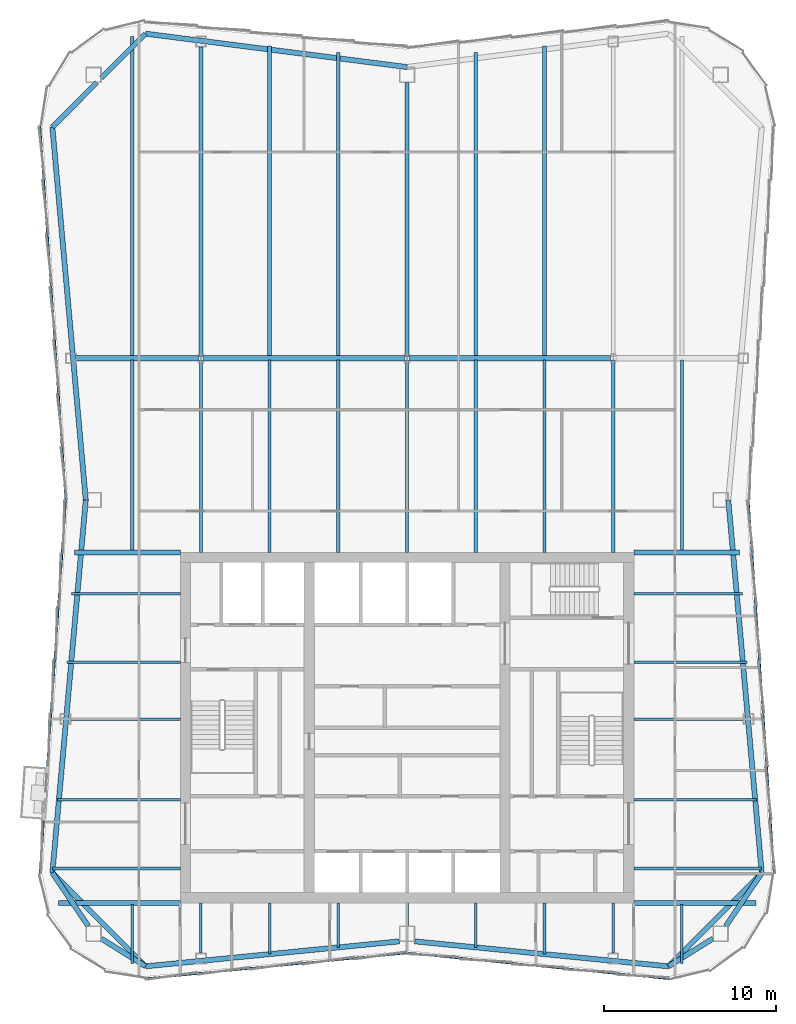
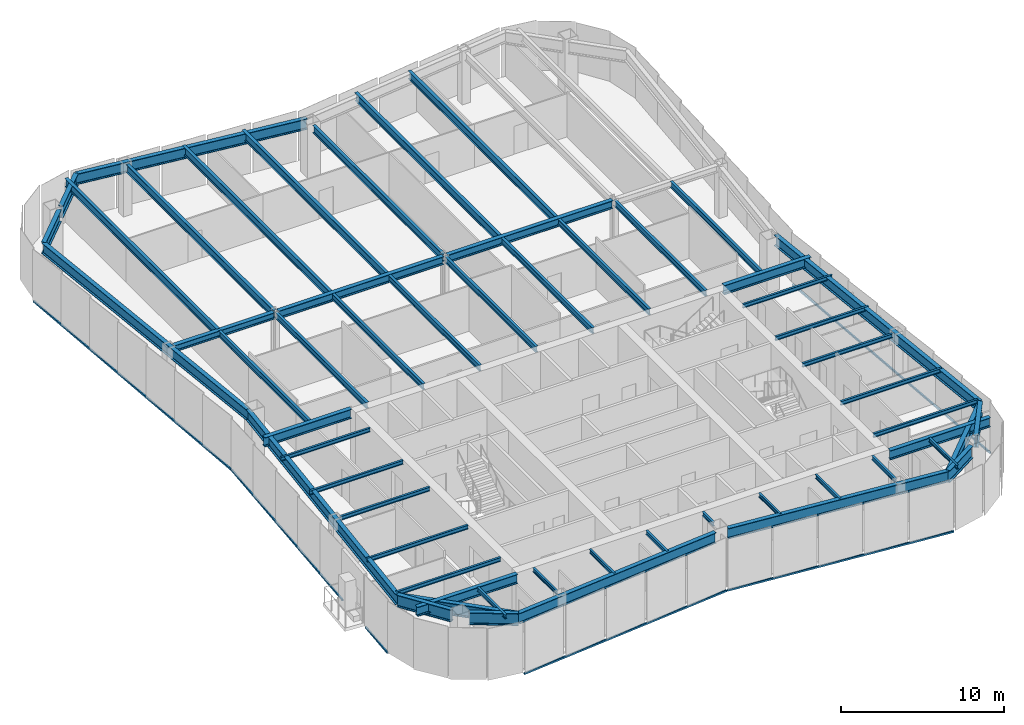
# One storey, part 3 of 10: 56 beams, 6 members, 3 elements without a shape of their own.
"""IFC4 building model written with IfcOpenShell, lengths in metres."""

from ifc_helpers import new_model, si_unit, direction, frame, origin, origin_2d, place, context, subcontext, project, spatial, rectangle, i_section, extrude, material, material_profile, profile_set, type_object, element, aggregate, save


model = new_model("IFC4")

# Units and contexts
model_context = context("Model", 3, precision=1e-05, world=origin(), true_north=direction((0.0, 1.0)))
body_context = subcontext(model_context, "Body", "Model", "MODEL_VIEW")
ifc_project = project(units=[si_unit("LENGTHUNIT", "METRE"), si_unit("AREAUNIT", "SQUARE_METRE"), si_unit("VOLUMEUNIT", "CUBIC_METRE"), si_unit("PLANEANGLEUNIT", "RADIAN"), si_unit("MASSUNIT", "GRAM", prefix="KILO")], contexts=[model_context])

# Site, building, storey
site_placement = place(None, origin())
site = spatial("IfcSite", under=ifc_project, at=site_placement, CompositionType="ELEMENT")
building_placement = place(site_placement, origin())
building = spatial("IfcBuilding", under=site, at=building_placement, Name="Verdant Reach Tower", CompositionType="ELEMENT")
storey_placement = place(building_placement, frame((0.0, 0.0, 326.0)))
storey = spatial("IfcBuildingStorey", under=building, at=storey_placement, Name="L75", CompositionType="ELEMENT", Elevation=326.0)

# Curtain wall, member
ifc_material_1 = material(Name="Anodised aluminium", Category="aluminium")
curtain_wall_type = type_object("IfcCurtainWallType", Name="EN-CW SYSTEM Z5", PredefinedType="NOTDEFINED", material=ifc_material_1)
curtain_wall_1_placement = place(storey_placement, origin())
curtain_wall_1 = element("IfcCurtainWall", 1, at=curtain_wall_1_placement, inside=storey, type_object=curtain_wall_type, Name="Curtain wall east, L75", PredefinedType="NOTDEFINED")
ifc_material_profile_1 = material_profile(ifc_material_1, rectangle(XDim=0.10009765625, YDim=0.1298828125, at=origin_2d()), Name="Transom 130x100")
ifc_profile_set_1 = profile_set([ifc_material_profile_1], Name="Anodised aluminium")
member_type = type_object("IfcMemberType", Name="EN-TRANSOM Z5", PredefinedType="USERDEFINED", material=ifc_profile_set_1)
member_1_placement = place(storey_placement, frame((21.3623046875, 19.527587890625, -0.284912109375), z_axis=(-0.068764705107, 0.997632906099, 0.0), x_axis=(-0.997632906099, -0.068764705107, 0.0)))
member_1 = element("IfcMember", 2, at=member_1_placement, type_object=member_type, Name="Transom east face part 1 1.1, L75", ObjectType="TRANSOM", PredefinedType="USERDEFINED", context=body_context, shape_type="SweptSolid", body=[
    extrude(rectangle(XDim=0.10009765625, YDim=0.1298828125, at=origin_2d()), origin(), (0.0, 0.0, 1.0), 21.739013671875),
])
aggregate(curtain_wall_1, [member_1])

# Curtain wall, members
curtain_wall_2_placement = place(storey_placement, origin())
curtain_wall_2 = element("IfcCurtainWall", 3, at=curtain_wall_2_placement, inside=storey, type_object=curtain_wall_type, Name="Curtain wall west, L75", PredefinedType="NOTDEFINED")
member_2_placement = place(storey_placement, frame((-21.3623046875, 62.972412109375, -0.284912109375), z_axis=(0.068764705107, -0.997632906099, 0.0), x_axis=(0.997632906099, 0.068764705107, 0.0)))
member_2 = element("IfcMember", 4, at=member_2_placement, type_object=member_type, Name="Transom west face part 1 1.1, L75", ObjectType="TRANSOM", PredefinedType="USERDEFINED", context=body_context, shape_type="SweptSolid", body=[
    extrude(rectangle(XDim=0.10009765625, YDim=0.1298828125, at=origin_2d()), origin(), (0.0, 0.0, 1.0), 21.739013671875),
])
member_3_placement = place(storey_placement, frame((-19.867431640625, 41.215087890625, -0.284912109375), z_axis=(-0.068823721613, -0.997628836463, 0.0), x_axis=(0.997628836463, -0.068823721613, 0.0)))
member_3 = element("IfcMember", 5, at=member_3_placement, type_object=member_type, Name="Transom west face part 2 1.1, L75", ObjectType="TRANSOM", PredefinedType="USERDEFINED", context=body_context, shape_type="SweptSolid", body=[
    extrude(rectangle(XDim=0.10009765625, YDim=0.1298828125, at=origin_2d()), origin(), (0.0, 0.0, 1.0), 15.49462890625),
])
member_4_placement = place(storey_placement, frame((-21.15283203125, 22.580078125, -0.284912109375), z_axis=(-0.068462518223, -0.997653689212, 0.0), x_axis=(0.997653689212, -0.068462518223, 0.0)))
member_4 = element("IfcMember", 6, at=member_4_placement, type_object=member_type, Name="Transom west face part 2 2.1, L75", ObjectType="TRANSOM", PredefinedType="USERDEFINED", context=body_context, shape_type="SweptSolid", body=[
    extrude(rectangle(XDim=0.10009765625, YDim=0.1298828125, at=origin_2d()), origin(), (0.0, 0.0, 1.0), 3.0595703125),
])
aggregate(curtain_wall_2, [member_2, member_3, member_4])

curtain_wall_3_placement = place(storey_placement, origin())
curtain_wall_3 = element("IfcCurtainWall", 7, at=curtain_wall_3_placement, inside=storey, type_object=curtain_wall_type, Name="Curtain wall south, L75", PredefinedType="NOTDEFINED")
member_5_placement = place(storey_placement, frame((-15.220703125, 13.388671875, -0.284912109375), z_axis=(0.99520229006, 0.097838652171, 0.0), x_axis=(-0.097838652171, 0.99520229006, 0.0)))
member_5 = element("IfcMember", 8, at=member_5_placement, type_object=member_type, Name="Transom south face part 1 1.1, L75", ObjectType="TRANSOM", PredefinedType="USERDEFINED", context=body_context, shape_type="SweptSolid", body=[
    extrude(rectangle(XDim=0.10009765625, YDim=0.1298828125, at=origin_2d()), origin(), (0.0, 0.0, 1.0), 15.259033203125),
])
member_6_placement = place(storey_placement, frame((0.034912109375, 14.881591796875, -0.284912109375), z_axis=(0.99520229006, -0.097838652171, 0.0), x_axis=(0.097838652171, 0.99520229006, 0.0)))
member_6 = element("IfcMember", 9, at=member_6_placement, type_object=member_type, Name="Transom south face part 2 1.1, L75", ObjectType="TRANSOM", PredefinedType="USERDEFINED", context=body_context, shape_type="SweptSolid", body=[
    extrude(rectangle(XDim=0.10009765625, YDim=0.1298828125, at=origin_2d()), origin(), (0.0, 0.0, 1.0), 15.259033203125),
])
aggregate(curtain_wall_3, [member_5, member_6])

# Beams
ifc_material_2 = material(Name="Steel S355", Category="steel")
ifc_material_profile_2 = material_profile(ifc_material_2, i_section(OverallWidth=0.300048828125, OverallDepth=0.489990234375, WebThickness=0.011962890625, FlangeThickness=0.02294921875, FilletRadius=0.027099609375, at=origin_2d()), Name="HEA 500")
ifc_profile_set_2 = profile_set([ifc_material_profile_2], Name="Steel S355")
beam_type_1 = type_object("IfcBeamType", Name="ST-BEAM-HEA500", PredefinedType="BEAM", material=ifc_profile_set_2)
beam_1_placement = place(storey_placement, frame((-19.26904296875, 49.5, 3.625), z_axis=(1.0, 0.0, 0.0), x_axis=(0.0, 1.0, 0.0)))
element("IfcBeam", 10, at=beam_1_placement, inside=storey, type_object=beam_type_1, Name="Row girder, L75", PredefinedType="BEAM", context=body_context, shape_type="SweptSolid", body=[
    extrude(i_section(OverallWidth=0.300048828125, OverallDepth=0.489990234375, WebThickness=0.011962890625, FlangeThickness=0.02294921875, FilletRadius=0.027099609375, at=origin_2d()), origin(), (0.0, 0.0, 1.0), 7.115966796875),
])
ifc_material_profile_3 = material_profile(ifc_material_2, i_section(OverallWidth=0.300048828125, OverallDepth=0.60009765625, WebThickness=0.015380859375, FlangeThickness=0.030029296875, FilletRadius=0.027099609375, at=origin_2d()), Name="HEB 600")
ifc_profile_set_3 = profile_set([ifc_material_profile_3], Name="Steel S355")
beam_type_2 = type_object("IfcBeamType", Name="ST-BEAM-HEB600", PredefinedType="BEAM", material=ifc_profile_set_3)
for number, where, z_axis, x_axis, name in (
    (11, (-11.846923828125, 49.5, 3.570068359375), (1.0, 0.0, 0.0), (0.0, 1.0, 0.0), "Row girder, L75"),
    (12, (0.153076171875, 49.5, 3.570068359375), (1.0, 0.0, 0.0), (0.0, 1.0, 0.0), "Row girder, L75"),
):
    element("IfcBeam", number, at=place(storey_placement, frame(where, z_axis=z_axis, x_axis=x_axis)), inside=storey, type_object=beam_type_2, Name=name, PredefinedType="BEAM", context=body_context, shape_type="SweptSolid", body=[
        extrude(i_section(OverallWidth=0.300048828125, OverallDepth=0.60009765625, WebThickness=0.015380859375, FlangeThickness=0.030029296875, FilletRadius=0.027099609375, at=origin_2d()), origin(), (0.0, 0.0, 1.0), 11.69384765625),
    ])
ifc_material_profile_4 = material_profile(ifc_material_2, i_section(OverallWidth=0.300048828125, OverallDepth=0.699951171875, WebThickness=0.01708984375, FlangeThickness=0.031982421875, FilletRadius=0.027099609375, at=origin_2d()), Name="HEB 700")
ifc_profile_set_4 = profile_set([ifc_material_profile_4], Name="Steel S355")
beam_type_3 = type_object("IfcBeamType", Name="ST-BEAM-HEB700", PredefinedType="BEAM", material=ifc_profile_set_4)
for number, where, z_axis, x_axis, name in (
    (13, (13.199951171875, 38.199951171875, 3.52001953125), (1.0, 0.0, 0.0), (0.0, 1.0, 0.0), "Trimmer beam, L75"),
    (14, (-13.199951171875, 38.199951171875, 3.52001953125), (-1.0, 0.0, 0.0), (0.0, -1.0, 0.0), "Trimmer beam, L75"),
):
    element("IfcBeam", number, at=place(storey_placement, frame(where, z_axis=z_axis, x_axis=x_axis)), inside=storey, type_object=beam_type_3, Name=name, PredefinedType="BEAM", context=body_context, shape_type="SweptSolid", body=[
        extrude(i_section(OverallWidth=0.300048828125, OverallDepth=0.699951171875, WebThickness=0.01708984375, FlangeThickness=0.031982421875, FilletRadius=0.027099609375, at=origin_2d()), origin(), (0.0, 0.0, 1.0), 6.158935546875),
    ])
for number, where, z_axis, x_axis, name in (
    (15, (13.199951171875, 17.800048828125, 3.52001953125), (1.0, 0.0, 0.0), (0.0, 1.0, 0.0), "Trimmer beam, L75"),
    (16, (-13.199951171875, 17.800048828125, 3.52001953125), (-1.0, 0.0, 0.0), (0.0, -1.0, 0.0), "Trimmer beam, L75"),
):
    element("IfcBeam", number, at=place(storey_placement, frame(where, z_axis=z_axis, x_axis=x_axis)), inside=storey, type_object=beam_type_3, Name=name, PredefinedType="BEAM", context=body_context, shape_type="SweptSolid", body=[
        extrude(i_section(OverallWidth=0.300048828125, OverallDepth=0.699951171875, WebThickness=0.01708984375, FlangeThickness=0.031982421875, FilletRadius=0.027099609375, at=origin_2d()), origin(), (0.0, 0.0, 1.0), 7.10009765625),
    ])
ifc_material_profile_5 = material_profile(ifc_material_2, i_section(OverallWidth=0.302001953125, OverallDepth=0.909912109375, WebThickness=0.02099609375, FlangeThickness=0.0400390625, FilletRadius=0.030029296875, at=origin_2d()), Name="HEM 900")
ifc_profile_set_5 = profile_set([ifc_material_profile_5], Name="Steel S355")
beam_type_4 = type_object("IfcBeamType", Name="ST-BEAM-HEM900", PredefinedType="BEAM", material=ifc_profile_set_5)
beam_2_placement = place(storey_placement, frame((17.800048828125, 15.71875, 3.4150390625), z_axis=(-0.847903624467, -0.530150397166, 0.0), x_axis=(0.530150397166, -0.847903624467, 0.0)))
element("IfcBeam", 17, at=beam_2_placement, inside=storey, type_object=beam_type_4, Name="Column stub beam, L75", PredefinedType="BEAM", context=body_context, shape_type="SweptSolid", body=[
    extrude(i_section(OverallWidth=0.302001953125, OverallDepth=0.909912109375, WebThickness=0.02099609375, FlangeThickness=0.0400390625, FilletRadius=0.030029296875, at=origin_2d()), origin(), (0.0, 0.0, 1.0), 3.042724609375),
])
beam_3_placement = place(storey_placement, frame((18.5546875, 16.449951171875, 3.4150390625), z_axis=(0.560667226688, 0.828041219335, 0.0), x_axis=(-0.828041219335, 0.560667226688, 0.0)))
element("IfcBeam", 18, at=beam_3_placement, inside=storey, type_object=beam_type_4, Name="Column stub beam, L75", PredefinedType="BEAM", context=body_context, shape_type="SweptSolid", body=[
    extrude(i_section(OverallWidth=0.302001953125, OverallDepth=0.909912109375, WebThickness=0.02099609375, FlangeThickness=0.0400390625, FilletRadius=0.030029296875, at=origin_2d()), origin(), (0.0, 0.0, 1.0), 3.72998046875),
])
beam_4_placement = place(storey_placement, frame((-17.800048828125, 15.71875, 3.4150390625), z_axis=(0.847903624467, -0.530150397166, 0.0), x_axis=(0.530150397166, 0.847903624467, 0.0)))
element("IfcBeam", 19, at=beam_4_placement, inside=storey, type_object=beam_type_4, Name="Column stub beam, L75", PredefinedType="BEAM", context=body_context, shape_type="SweptSolid", body=[
    extrude(i_section(OverallWidth=0.302001953125, OverallDepth=0.909912109375, WebThickness=0.02099609375, FlangeThickness=0.0400390625, FilletRadius=0.030029296875, at=origin_2d()), origin(), (0.0, 0.0, 1.0), 3.042724609375),
])
beam_5_placement = place(storey_placement, frame((-18.5546875, 16.449951171875, 3.4150390625), z_axis=(-0.560667226688, 0.828041219335, 0.0), x_axis=(-0.828041219335, -0.560667226688, 0.0)))
element("IfcBeam", 20, at=beam_5_placement, inside=storey, type_object=beam_type_4, Name="Column stub beam, L75", PredefinedType="BEAM", context=body_context, shape_type="SweptSolid", body=[
    extrude(i_section(OverallWidth=0.302001953125, OverallDepth=0.909912109375, WebThickness=0.02099609375, FlangeThickness=0.0400390625, FilletRadius=0.030029296875, at=origin_2d()), origin(), (0.0, 0.0, 1.0), 3.72998046875),
])
ifc_material_profile_6 = material_profile(ifc_material_2, i_section(OverallWidth=0.14990234375, OverallDepth=0.300048828125, WebThickness=0.007080078125, FlangeThickness=0.0107421875, FilletRadius=0.014892578125, at=origin_2d()), Name="IPE 300")
ifc_profile_set_6 = profile_set([ifc_material_profile_6], Name="Steel S355")
beam_type_5 = type_object("IfcBeamType", Name="ST-JOIST-IPE300", PredefinedType="JOIST", material=ifc_profile_set_6)
beam_6_placement = place(storey_placement, frame((-16.0, 17.699951171875, 3.719970703125), z_axis=(0.0, -1.0, 0.0), x_axis=(1.0, 0.0, 0.0)))
element("IfcBeam", 21, at=beam_6_placement, inside=storey, type_object=beam_type_5, Name="Floor joist, L75", PredefinedType="JOIST", context=body_context, shape_type="SweptSolid", body=[
    extrude(i_section(OverallWidth=0.14990234375, OverallDepth=0.300048828125, WebThickness=0.007080078125, FlangeThickness=0.0107421875, FilletRadius=0.014892578125, at=origin_2d()), origin(), (0.0, 0.0, 1.0), 3.43896484375),
])
beam_7_placement = place(storey_placement, frame((-12.0, 17.800048828125, 3.719970703125), z_axis=(0.0, -1.0, 0.0), x_axis=(1.0, 0.0, 0.0)))
element("IfcBeam", 22, at=beam_7_placement, inside=storey, type_object=beam_type_5, Name="Floor joist, L75", PredefinedType="JOIST", context=body_context, shape_type="SweptSolid", body=[
    extrude(i_section(OverallWidth=0.14990234375, OverallDepth=0.300048828125, WebThickness=0.007080078125, FlangeThickness=0.0107421875, FilletRadius=0.014892578125, at=origin_2d()), origin(), (0.0, 0.0, 1.0), 2.930419921875),
])
beam_8_placement = place(storey_placement, frame((-8.0, 17.800048828125, 3.719970703125), z_axis=(0.0, -1.0, 0.0), x_axis=(1.0, 0.0, 0.0)))
element("IfcBeam", 23, at=beam_8_placement, inside=storey, type_object=beam_type_5, Name="Floor joist, L75", PredefinedType="JOIST", context=body_context, shape_type="SweptSolid", body=[
    extrude(i_section(OverallWidth=0.14990234375, OverallDepth=0.300048828125, WebThickness=0.007080078125, FlangeThickness=0.0107421875, FilletRadius=0.014892578125, at=origin_2d()), origin(), (0.0, 0.0, 1.0), 2.984130859375),
])
beam_9_placement = place(storey_placement, frame((-4.0, 17.800048828125, 3.719970703125), z_axis=(0.0, -1.0, 0.0), x_axis=(1.0, 0.0, 0.0)))
element("IfcBeam", 24, at=beam_9_placement, inside=storey, type_object=beam_type_5, Name="Floor joist, L75", PredefinedType="JOIST", context=body_context, shape_type="SweptSolid", body=[
    extrude(i_section(OverallWidth=0.14990234375, OverallDepth=0.300048828125, WebThickness=0.007080078125, FlangeThickness=0.0107421875, FilletRadius=0.014892578125, at=origin_2d()), origin(), (0.0, 0.0, 1.0), 2.590576171875),
])
beam_10_placement = place(storey_placement, frame((0.0, 17.800048828125, 3.719970703125), z_axis=(0.0, -1.0, 0.0), x_axis=(1.0, 0.0, 0.0)))
element("IfcBeam", 25, at=beam_10_placement, inside=storey, type_object=beam_type_5, Name="Floor joist, L75", PredefinedType="JOIST", context=body_context, shape_type="SweptSolid", body=[
    extrude(i_section(OverallWidth=0.14990234375, OverallDepth=0.300048828125, WebThickness=0.007080078125, FlangeThickness=0.0107421875, FilletRadius=0.014892578125, at=origin_2d()), origin(), (0.0, 0.0, 1.0), 1.35009765625),
])
beam_11_placement = place(storey_placement, frame((4.0, 17.800048828125, 3.719970703125), z_axis=(0.0, -1.0, 0.0), x_axis=(1.0, 0.0, 0.0)))
element("IfcBeam", 26, at=beam_11_placement, inside=storey, type_object=beam_type_5, Name="Floor joist, L75", PredefinedType="JOIST", context=body_context, shape_type="SweptSolid", body=[
    extrude(i_section(OverallWidth=0.14990234375, OverallDepth=0.300048828125, WebThickness=0.007080078125, FlangeThickness=0.0107421875, FilletRadius=0.014892578125, at=origin_2d()), origin(), (0.0, 0.0, 1.0), 2.590576171875),
])
beam_12_placement = place(storey_placement, frame((8.0, 17.800048828125, 3.719970703125), z_axis=(0.0, -1.0, 0.0), x_axis=(1.0, 0.0, 0.0)))
element("IfcBeam", 27, at=beam_12_placement, inside=storey, type_object=beam_type_5, Name="Floor joist, L75", PredefinedType="JOIST", context=body_context, shape_type="SweptSolid", body=[
    extrude(i_section(OverallWidth=0.14990234375, OverallDepth=0.300048828125, WebThickness=0.007080078125, FlangeThickness=0.0107421875, FilletRadius=0.014892578125, at=origin_2d()), origin(), (0.0, 0.0, 1.0), 2.984130859375),
])
beam_13_placement = place(storey_placement, frame((12.0, 17.800048828125, 3.719970703125), z_axis=(0.0, -1.0, 0.0), x_axis=(1.0, 0.0, 0.0)))
element("IfcBeam", 28, at=beam_13_placement, inside=storey, type_object=beam_type_5, Name="Floor joist, L75", PredefinedType="JOIST", context=body_context, shape_type="SweptSolid", body=[
    extrude(i_section(OverallWidth=0.14990234375, OverallDepth=0.300048828125, WebThickness=0.007080078125, FlangeThickness=0.0107421875, FilletRadius=0.014892578125, at=origin_2d()), origin(), (0.0, 0.0, 1.0), 2.930419921875),
])
beam_14_placement = place(storey_placement, frame((16.0, 17.699951171875, 3.719970703125), z_axis=(0.0, -1.0, 0.0), x_axis=(1.0, 0.0, 0.0)))
element("IfcBeam", 29, at=beam_14_placement, inside=storey, type_object=beam_type_5, Name="Floor joist, L75", PredefinedType="JOIST", context=body_context, shape_type="SweptSolid", body=[
    extrude(i_section(OverallWidth=0.14990234375, OverallDepth=0.300048828125, WebThickness=0.007080078125, FlangeThickness=0.0107421875, FilletRadius=0.014892578125, at=origin_2d()), origin(), (0.0, 0.0, 1.0), 3.43896484375),
])
for number, where, z_axis, x_axis, name in (
    (30, (13.199951171875, 19.800048828125, 3.719970703125), (1.0, 0.0, 0.0), (0.0, 1.0, 0.0), "Floor joist, L75"),
    (31, (-13.199951171875, 19.800048828125, 3.719970703125), (-1.0, 0.0, 0.0), (0.0, -1.0, 0.0), "Floor joist, L75"),
):
    element("IfcBeam", number, at=place(storey_placement, frame(where, z_axis=z_axis, x_axis=x_axis)), inside=storey, type_object=beam_type_5, Name=name, PredefinedType="JOIST", context=body_context, shape_type="SweptSolid", body=[
        extrude(i_section(OverallWidth=0.14990234375, OverallDepth=0.300048828125, WebThickness=0.007080078125, FlangeThickness=0.0107421875, FilletRadius=0.014892578125, at=origin_2d()), origin(), (0.0, 0.0, 1.0), 7.427978515625),
    ])
for number, where, z_axis, x_axis, name in (
    (32, (13.199951171875, 23.800048828125, 3.719970703125), (1.0, 0.0, 0.0), (0.0, 1.0, 0.0), "Floor joist, L75"),
    (33, (-13.199951171875, 23.800048828125, 3.719970703125), (-1.0, 0.0, 0.0), (0.0, -1.0, 0.0), "Floor joist, L75"),
):
    element("IfcBeam", number, at=place(storey_placement, frame(where, z_axis=z_axis, x_axis=x_axis)), inside=storey, type_object=beam_type_5, Name=name, PredefinedType="JOIST", context=body_context, shape_type="SweptSolid", body=[
        extrude(i_section(OverallWidth=0.14990234375, OverallDepth=0.300048828125, WebThickness=0.007080078125, FlangeThickness=0.0107421875, FilletRadius=0.014892578125, at=origin_2d()), origin(), (0.0, 0.0, 1.0), 7.152099609375),
    ])
for number, where, z_axis, x_axis, name in (
    (34, (13.199951171875, 28.5, 3.719970703125), (1.0, 0.0, 0.0), (0.0, 1.0, 0.0), "Floor joist, L75"),
    (35, (-13.199951171875, 28.5, 3.719970703125), (-1.0, 0.0, 0.0), (0.0, -1.0, 0.0), "Floor joist, L75"),
):
    element("IfcBeam", number, at=place(storey_placement, frame(where, z_axis=z_axis, x_axis=x_axis)), inside=storey, type_object=beam_type_5, Name=name, PredefinedType="JOIST", context=body_context, shape_type="SweptSolid", body=[
        extrude(i_section(OverallWidth=0.14990234375, OverallDepth=0.300048828125, WebThickness=0.007080078125, FlangeThickness=0.0107421875, FilletRadius=0.014892578125, at=origin_2d()), origin(), (0.0, 0.0, 1.0), 6.37939453125),
    ])
for number, where, z_axis, x_axis, name in (
    (36, (13.199951171875, 31.800048828125, 3.719970703125), (1.0, 0.0, 0.0), (0.0, 1.0, 0.0), "Floor joist, L75"),
    (37, (-13.199951171875, 31.800048828125, 3.719970703125), (-1.0, 0.0, 0.0), (0.0, -1.0, 0.0), "Floor joist, L75"),
):
    element("IfcBeam", number, at=place(storey_placement, frame(where, z_axis=z_axis, x_axis=x_axis)), inside=storey, type_object=beam_type_5, Name=name, PredefinedType="JOIST", context=body_context, shape_type="SweptSolid", body=[
        extrude(i_section(OverallWidth=0.14990234375, OverallDepth=0.300048828125, WebThickness=0.007080078125, FlangeThickness=0.0107421875, FilletRadius=0.014892578125, at=origin_2d()), origin(), (0.0, 0.0, 1.0), 6.600341796875),
    ])
for number, where, z_axis, x_axis, name in (
    (38, (13.199951171875, 35.800048828125, 3.719970703125), (1.0, 0.0, 0.0), (0.0, 1.0, 0.0), "Floor joist, L75"),
    (39, (-13.199951171875, 35.800048828125, 3.719970703125), (-1.0, 0.0, 0.0), (0.0, -1.0, 0.0), "Floor joist, L75"),
):
    element("IfcBeam", number, at=place(storey_placement, frame(where, z_axis=z_axis, x_axis=x_axis)), inside=storey, type_object=beam_type_5, Name=name, PredefinedType="JOIST", context=body_context, shape_type="SweptSolid", body=[
        extrude(i_section(OverallWidth=0.14990234375, OverallDepth=0.300048828125, WebThickness=0.007080078125, FlangeThickness=0.0107421875, FilletRadius=0.014892578125, at=origin_2d()), origin(), (0.0, 0.0, 1.0), 6.324462890625),
    ])
ifc_material_profile_7 = material_profile(ifc_material_2, i_section(OverallWidth=0.18994140625, OverallDepth=0.449951171875, WebThickness=0.009521484375, FlangeThickness=0.0146484375, FilletRadius=0.02099609375, at=origin_2d()), Name="IPE 450")
ifc_profile_set_7 = profile_set([ifc_material_profile_7], Name="Steel S355")
beam_type_6 = type_object("IfcBeamType", Name="ST-JOIST-IPE450", PredefinedType="JOIST", material=ifc_profile_set_7)
beam_15_placement = place(storey_placement, frame((-16.0, 38.300048828125, 3.64501953125), z_axis=(0.0, 1.0, 0.0), x_axis=(-1.0, 0.0, 0.0)))
element("IfcBeam", 40, at=beam_15_placement, inside=storey, type_object=beam_type_6, Name="Floor joist, L75", PredefinedType="JOIST", context=body_context, shape_type="SweptSolid", body=[
    extrude(i_section(OverallWidth=0.18994140625, OverallDepth=0.449951171875, WebThickness=0.009521484375, FlangeThickness=0.0146484375, FilletRadius=0.02099609375, at=origin_2d()), origin(), (0.0, 0.0, 1.0), 11.099853515625),
])
for number, where, z_axis, x_axis, name in (
    (41, (-12.0, 38.199951171875, 3.64501953125), (0.0, 1.0, 0.0), (-1.0, 0.0, 0.0), "Floor joist, L75"),
    (42, (-8.0, 38.199951171875, 3.64501953125), (0.0, 1.0, 0.0), (-1.0, 0.0, 0.0), "Floor joist, L75"),
    (43, (-4.0, 38.199951171875, 3.64501953125), (0.0, 1.0, 0.0), (-1.0, 0.0, 0.0), "Floor joist, L75"),
    (44, (0.0, 38.199951171875, 3.64501953125), (0.0, 1.0, 0.0), (-1.0, 0.0, 0.0), "Floor joist, L75"),
    (45, (4.0, 38.199951171875, 3.64501953125), (0.0, 1.0, 0.0), (-1.0, 0.0, 0.0), "Floor joist, L75"),
    (46, (8.0, 38.199951171875, 3.64501953125), (0.0, 1.0, 0.0), (-1.0, 0.0, 0.0), "Floor joist, L75"),
    (47, (12.0, 38.199951171875, 3.64501953125), (0.0, 1.0, 0.0), (-1.0, 0.0, 0.0), "Floor joist, L75"),
):
    element("IfcBeam", number, at=place(storey_placement, frame(where, z_axis=z_axis, x_axis=x_axis)), inside=storey, type_object=beam_type_6, Name=name, PredefinedType="JOIST", context=body_context, shape_type="SweptSolid", body=[
        extrude(i_section(OverallWidth=0.18994140625, OverallDepth=0.449951171875, WebThickness=0.009521484375, FlangeThickness=0.0146484375, FilletRadius=0.02099609375, at=origin_2d()), origin(), (0.0, 0.0, 1.0), 11.199951171875),
    ])
beam_16_placement = place(storey_placement, frame((16.0, 38.300048828125, 3.64501953125), z_axis=(0.0, 1.0, 0.0), x_axis=(-1.0, 0.0, 0.0)))
element("IfcBeam", 48, at=beam_16_placement, inside=storey, type_object=beam_type_6, Name="Floor joist, L75", PredefinedType="JOIST", context=body_context, shape_type="SweptSolid", body=[
    extrude(i_section(OverallWidth=0.18994140625, OverallDepth=0.449951171875, WebThickness=0.009521484375, FlangeThickness=0.0146484375, FilletRadius=0.02099609375, at=origin_2d()), origin(), (0.0, 0.0, 1.0), 11.099853515625),
])
ifc_material_profile_8 = material_profile(ifc_material_2, i_section(OverallWidth=0.2099609375, OverallDepth=0.550048828125, WebThickness=0.010986328125, FlangeThickness=0.01708984375, FilletRadius=0.02392578125, at=origin_2d()), Name="IPE 550")
ifc_profile_set_8 = profile_set([ifc_material_profile_8], Name="Steel S355")
beam_type_7 = type_object("IfcBeamType", Name="ST-JOIST-IPE550", PredefinedType="JOIST", material=ifc_profile_set_8)
beam_17_placement = place(storey_placement, frame((0.0, 49.60009765625, 3.594970703125), z_axis=(0.0, 1.0, 0.0), x_axis=(-1.0, 0.0, 0.0)))
element("IfcBeam", 49, at=beam_17_placement, inside=storey, type_object=beam_type_7, Name="Floor joist, L75", PredefinedType="JOIST", context=body_context, shape_type="SweptSolid", body=[
    extrude(i_section(OverallWidth=0.2099609375, OverallDepth=0.550048828125, WebThickness=0.010986328125, FlangeThickness=0.01708984375, FilletRadius=0.02392578125, at=origin_2d()), origin(), (0.0, 0.0, 1.0), 15.949951171875),
])
ifc_material_profile_9 = material_profile(ifc_material_2, i_section(OverallWidth=0.219970703125, OverallDepth=0.60009765625, WebThickness=0.011962890625, FlangeThickness=0.01904296875, FilletRadius=0.02392578125, at=origin_2d()), Name="IPE 600")
ifc_profile_set_9 = profile_set([ifc_material_profile_9], Name="Steel S355")
beam_type_8 = type_object("IfcBeamType", Name="ST-JOIST-IPE600", PredefinedType="JOIST", material=ifc_profile_set_9)
beam_18_placement = place(storey_placement, frame((-16.0, 49.60009765625, 3.570068359375), z_axis=(0.0, 1.0, 0.0), x_axis=(-1.0, 0.0, 0.0)))
element("IfcBeam", 50, at=beam_18_placement, inside=storey, type_object=beam_type_8, Name="Floor joist, L75", PredefinedType="JOIST", context=body_context, shape_type="SweptSolid", body=[
    extrude(i_section(OverallWidth=0.219970703125, OverallDepth=0.60009765625, WebThickness=0.011962890625, FlangeThickness=0.01904296875, FilletRadius=0.02392578125, at=origin_2d()), origin(), (0.0, 0.0, 1.0), 18.638916015625),
])
beam_19_placement = place(storey_placement, frame((-12.0, 49.60009765625, 3.570068359375), z_axis=(0.0, 1.0, 0.0), x_axis=(-1.0, 0.0, 0.0)))
element("IfcBeam", 51, at=beam_19_placement, inside=storey, type_object=beam_type_8, Name="Floor joist, L75", PredefinedType="JOIST", context=body_context, shape_type="SweptSolid", body=[
    extrude(i_section(OverallWidth=0.219970703125, OverallDepth=0.60009765625, WebThickness=0.011962890625, FlangeThickness=0.01904296875, FilletRadius=0.02392578125, at=origin_2d()), origin(), (0.0, 0.0, 1.0), 18.0302734375),
])
beam_20_placement = place(storey_placement, frame((-8.0, 49.60009765625, 3.570068359375), z_axis=(0.0, 1.0, 0.0), x_axis=(-1.0, 0.0, 0.0)))
element("IfcBeam", 52, at=beam_20_placement, inside=storey, type_object=beam_type_8, Name="Floor joist, L75", PredefinedType="JOIST", context=body_context, shape_type="SweptSolid", body=[
    extrude(i_section(OverallWidth=0.219970703125, OverallDepth=0.60009765625, WebThickness=0.011962890625, FlangeThickness=0.01904296875, FilletRadius=0.02392578125, at=origin_2d()), origin(), (0.0, 0.0, 1.0), 18.083984375),
])
for number, where, z_axis, x_axis, name in (
    (53, (-4.0, 49.60009765625, 3.570068359375), (0.0, 1.0, 0.0), (-1.0, 0.0, 0.0), "Floor joist, L75"),
    (54, (4.0, 49.60009765625, 3.570068359375), (0.0, 1.0, 0.0), (-1.0, 0.0, 0.0), "Floor joist, L75"),
):
    element("IfcBeam", number, at=place(storey_placement, frame(where, z_axis=z_axis, x_axis=x_axis)), inside=storey, type_object=beam_type_8, Name=name, PredefinedType="JOIST", context=body_context, shape_type="SweptSolid", body=[
        extrude(i_section(OverallWidth=0.219970703125, OverallDepth=0.60009765625, WebThickness=0.011962890625, FlangeThickness=0.01904296875, FilletRadius=0.02392578125, at=origin_2d()), origin(), (0.0, 0.0, 1.0), 17.6904296875),
    ])
beam_21_placement = place(storey_placement, frame((8.0, 49.60009765625, 3.570068359375), z_axis=(0.0, 1.0, 0.0), x_axis=(-1.0, 0.0, 0.0)))
element("IfcBeam", 55, at=beam_21_placement, inside=storey, type_object=beam_type_8, Name="Floor joist, L75", PredefinedType="JOIST", context=body_context, shape_type="SweptSolid", body=[
    extrude(i_section(OverallWidth=0.219970703125, OverallDepth=0.60009765625, WebThickness=0.011962890625, FlangeThickness=0.01904296875, FilletRadius=0.02392578125, at=origin_2d()), origin(), (0.0, 0.0, 1.0), 18.083984375),
])
ifc_material_profile_10 = material_profile(ifc_material_2, i_section(OverallWidth=0.300048828125, OverallDepth=0.800048828125, WebThickness=0.017578125, FlangeThickness=0.032958984375, FilletRadius=0.030029296875, at=origin_2d()), Name="HEB 800")
ifc_profile_set_10 = profile_set([ifc_material_profile_10], Name="Steel S355")
beam_type_9 = type_object("IfcBeamType", Name="ST-SPANDREL-HEB800", PredefinedType="SPANDREL", material=ifc_profile_set_10)
for number, where, z_axis, x_axis, name in (
    (56, (15.22021484375, 14.105712890625, 3.469970703125), (-0.995196964263, 0.097892810366, 0.0), (-0.097892810366, -0.995196964263, 0.0), "Edge beam, L75"),
    (57, (-0.449951171875, 15.55859375, 3.469970703125), (-0.995196964263, -0.097892810366, 0.0), (0.097892810366, -0.995196964263, 0.0), "Edge beam, L75"),
):
    element("IfcBeam", number, at=place(storey_placement, frame(where, z_axis=z_axis, x_axis=x_axis)), inside=storey, type_object=beam_type_9, Name=name, PredefinedType="SPANDREL", context=body_context, shape_type="SweptSolid", body=[
        extrude(i_section(OverallWidth=0.300048828125, OverallDepth=0.800048828125, WebThickness=0.017578125, FlangeThickness=0.032958984375, FilletRadius=0.030029296875, at=origin_2d()), origin(), (0.0, 0.0, 1.0), 14.841552734375),
    ])
for number, where, z_axis, x_axis, name in (
    (58, (-20.64599609375, 19.53857421875, 3.469970703125), (0.089274399498, 0.996007069048, 0.0), (-0.996007069048, 0.089274399498, 0.0), "Edge beam, L75"),
    (59, (-18.699951171875, 41.25, 3.469970703125), (-0.089274399498, 0.996007069048, 0.0), (-0.996007069048, -0.089274399498, 0.0), "Edge beam, L75"),
):
    element("IfcBeam", number, at=place(storey_placement, frame(where, z_axis=z_axis, x_axis=x_axis)), inside=storey, type_object=beam_type_9, Name=name, PredefinedType="SPANDREL", context=body_context, shape_type="SweptSolid", body=[
        extrude(i_section(OverallWidth=0.300048828125, OverallDepth=0.800048828125, WebThickness=0.017578125, FlangeThickness=0.032958984375, FilletRadius=0.030029296875, at=origin_2d()), origin(), (0.0, 0.0, 1.0), 21.798583984375),
    ])
beam_22_placement = place(storey_placement, frame((-15.22021484375, 68.394287109375, 3.469970703125), z_axis=(0.991938889669, -0.126717162063, 0.0), x_axis=(0.126717162063, 0.991938889669, 0.0)))
element("IfcBeam", 60, at=beam_22_placement, inside=storey, type_object=beam_type_9, Name="Edge beam, L75", PredefinedType="SPANDREL", context=body_context, shape_type="SweptSolid", body=[
    extrude(i_section(OverallWidth=0.300048828125, OverallDepth=0.800048828125, WebThickness=0.017578125, FlangeThickness=0.032958984375, FilletRadius=0.030029296875, at=origin_2d()), origin(), (0.0, 0.0, 1.0), 15.343994140625),
])
beam_23_placement = place(storey_placement, frame((18.699951171875, 41.25, 3.469970703125), z_axis=(0.089274399498, -0.996007069048, 0.0), x_axis=(0.996007069048, 0.089274399498, 0.0)))
element("IfcBeam", 61, at=beam_23_placement, inside=storey, type_object=beam_type_9, Name="Edge beam, L75", PredefinedType="SPANDREL", context=body_context, shape_type="SweptSolid", body=[
    extrude(i_section(OverallWidth=0.300048828125, OverallDepth=0.800048828125, WebThickness=0.017578125, FlangeThickness=0.032958984375, FilletRadius=0.030029296875, at=origin_2d()), origin(), (0.0, 0.0, 1.0), 21.798583984375),
])
ifc_material_profile_11 = material_profile(ifc_material_2, i_section(OverallWidth=0.302001953125, OverallDepth=0.909912109375, WebThickness=0.02099609375, FlangeThickness=0.0400390625, FilletRadius=0.030029296875, at=origin_2d()), Name="HEM 900")
ifc_profile_set_11 = profile_set([ifc_material_profile_11], Name="Steel S355")
beam_type_10 = type_object("IfcBeamType", Name="ST-SPANDREL-HEM900", PredefinedType="SPANDREL", material=ifc_profile_set_11)
beam_24_placement = place(storey_placement, frame((-15.22021484375, 14.105712890625, 3.4150390625), z_axis=(-0.706645581521, 0.707567680237, 0.0), x_axis=(-0.707567680237, -0.706645581521, 0.0)))
element("IfcBeam", 62, at=beam_24_placement, inside=storey, type_object=beam_type_10, Name="Edge beam, L75", PredefinedType="SPANDREL", context=body_context, shape_type="SweptSolid", body=[
    extrude(i_section(OverallWidth=0.302001953125, OverallDepth=0.909912109375, WebThickness=0.02099609375, FlangeThickness=0.0400390625, FilletRadius=0.030029296875, at=origin_2d()), origin(), (0.0, 0.0, 1.0), 7.67822265625),
])
beam_25_placement = place(storey_placement, frame((-20.64599609375, 62.96142578125, 3.4150390625), z_axis=(0.706639493403, 0.707573760369, 0.0), x_axis=(-0.707573760369, 0.706639493403, 0.0)))
element("IfcBeam", 63, at=beam_25_placement, inside=storey, type_object=beam_type_10, Name="Edge beam, L75", PredefinedType="SPANDREL", context=body_context, shape_type="SweptSolid", body=[
    extrude(i_section(OverallWidth=0.302001953125, OverallDepth=0.909912109375, WebThickness=0.02099609375, FlangeThickness=0.0400390625, FilletRadius=0.030029296875, at=origin_2d()), origin(), (0.0, 0.0, 1.0), 3.658447265625),
])
beam_26_placement = place(storey_placement, frame((-17.800048828125, 65.81103515625, 3.4150390625), z_axis=(0.706638520854, 0.707574731632, 0.0), x_axis=(-0.707574731632, 0.706638520854, 0.0)))
element("IfcBeam", 64, at=beam_26_placement, inside=storey, type_object=beam_type_10, Name="Edge beam, L75", PredefinedType="SPANDREL", context=body_context, shape_type="SweptSolid", body=[
    extrude(i_section(OverallWidth=0.302001953125, OverallDepth=0.909912109375, WebThickness=0.02099609375, FlangeThickness=0.0400390625, FilletRadius=0.030029296875, at=origin_2d()), origin(), (0.0, 0.0, 1.0), 3.65087890625),
])
beam_27_placement = place(storey_placement, frame((20.64599609375, 19.53857421875, 3.4150390625), z_axis=(-0.706645581521, -0.707567680237, 0.0), x_axis=(0.707567680237, -0.706645581521, 0.0)))
element("IfcBeam", 65, at=beam_27_placement, inside=storey, type_object=beam_type_10, Name="Edge beam, L75", PredefinedType="SPANDREL", context=body_context, shape_type="SweptSolid", body=[
    extrude(i_section(OverallWidth=0.302001953125, OverallDepth=0.909912109375, WebThickness=0.02099609375, FlangeThickness=0.0400390625, FilletRadius=0.030029296875, at=origin_2d()), origin(), (0.0, 0.0, 1.0), 7.67822265625),
])

save(model, "model.ifc")
